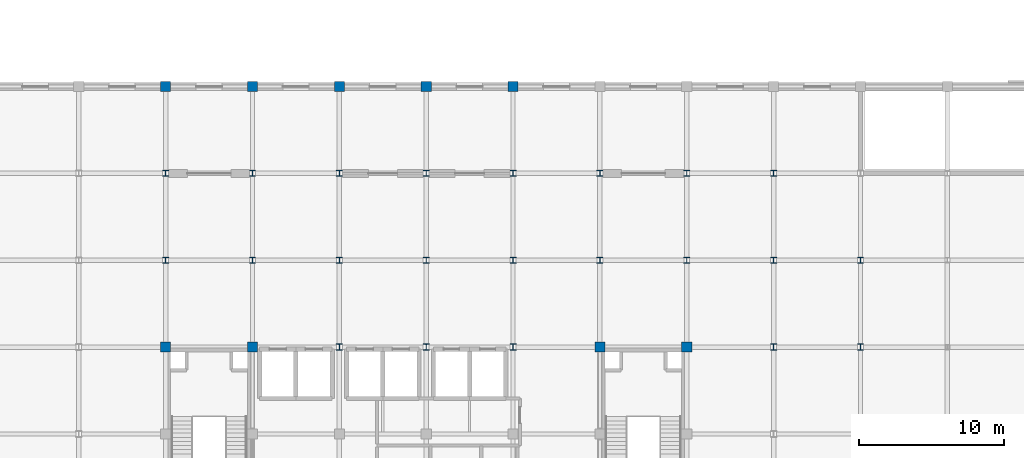
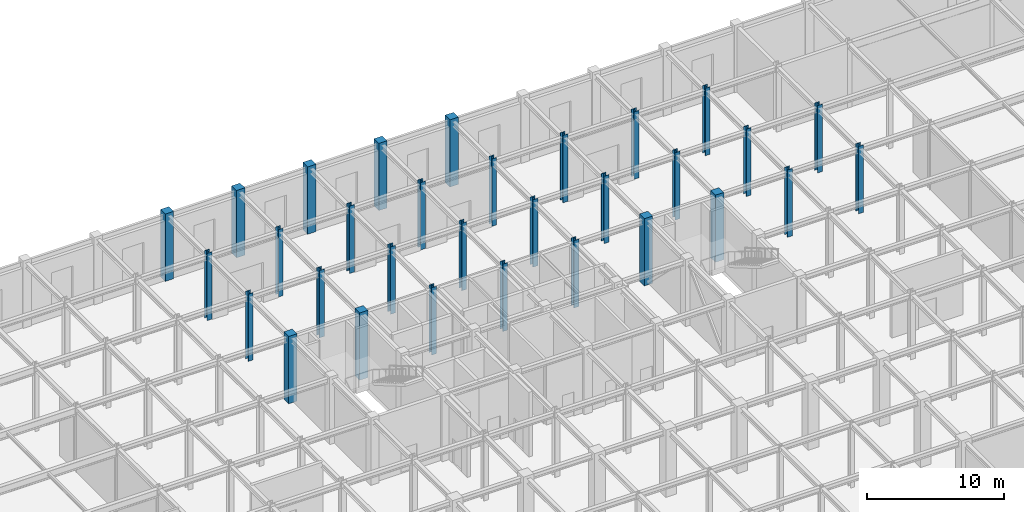
# One storey, part 19 of 51: 31 columns.
"""IFC4 building model written with IfcOpenShell, lengths in metres."""

from ifc_helpers import new_model, si_unit, direction, frame, origin, origin_2d, place, context, subcontext, project, spatial, rectangle, i_section, extrude, material, material_profile, profile_set, type_object, element, save


model = new_model("IFC4")

# Units and contexts
model_context = context("Model", 3, precision=1e-05, world=origin(), true_north=direction((0.0, 1.0)))
body_context = subcontext(model_context, "Body", "Model", "MODEL_VIEW")
ifc_project = project(units=[si_unit("LENGTHUNIT", "METRE"), si_unit("AREAUNIT", "SQUARE_METRE"), si_unit("VOLUMEUNIT", "CUBIC_METRE"), si_unit("PLANEANGLEUNIT", "RADIAN"), si_unit("MASSUNIT", "GRAM", prefix="KILO")], contexts=[model_context])

# Site, building, storey
site_placement = place(None, origin())
site = spatial("IfcSite", under=ifc_project, at=site_placement, CompositionType="ELEMENT")
building_placement = place(site_placement, origin())
building = spatial("IfcBuilding", under=site, at=building_placement, Name="Zlatovratsky Civic Hall", CompositionType="ELEMENT")
storey_placement = place(building_placement, origin())
storey = spatial("IfcBuildingStorey", under=building, at=storey_placement, Name="L01", CompositionType="ELEMENT", Elevation=0.0)

# Columns
ifc_material_1 = material(Name="Concrete C35/45 (B40)", Category="concrete")
ifc_material_profile_1 = material_profile(ifc_material_1, rectangle(XDim=0.699951171875, YDim=0.699951171875, at=origin_2d()), Name="RC 700x700")
ifc_profile_set_1 = profile_set([ifc_material_profile_1], Name="Concrete C35/45 (B40)")
column_type_1 = type_object("IfcColumnType", Name="Col_CorePier_RC700", PredefinedType="COLUMN", material=ifc_profile_set_1)
for number, where, z_axis, x_axis, name in (
    (1, (66.0, 96.0, 0.0), (0.0, 0.0, 1.0), (1.0, 0.0, 0.0), "CL-0738"),
    (2, (72.0, 96.0, 0.0), (0.0, 0.0, 1.0), (1.0, 0.0, 0.0), "CL-0739"),
    (3, (96.0, 96.0, 0.0), (0.0, 0.0, 1.0), (1.0, 0.0, 0.0), "CL-0743"),
    (4, (102.0, 96.0, 0.0), (0.0, 0.0, 1.0), (1.0, 0.0, 0.0), "CL-0744"),
    (5, (66.0, 114.0, 0.0), (0.0, 0.0, 1.0), (1.0, 0.0, 0.0), "CL-0807"),
    (6, (72.0, 114.0, 0.0), (0.0, 0.0, 1.0), (1.0, 0.0, 0.0), "CL-0808"),
    (7, (78.0, 114.0, 0.0), (0.0, 0.0, 1.0), (1.0, 0.0, 0.0), "CL-0809"),
    (8, (84.0, 114.0, 0.0), (0.0, 0.0, 1.0), (1.0, 0.0, 0.0), "CL-0810"),
    (9, (90.0, 114.0, 0.0), (0.0, 0.0, 1.0), (1.0, 0.0, 0.0), "CL-0811"),
):
    element("IfcColumn", number, at=place(storey_placement, frame(where, z_axis=z_axis, x_axis=x_axis)), inside=storey, type_object=column_type_1, Name=name, PredefinedType="COLUMN", context=body_context, shape_type="SweptSolid", body=[
        extrude(rectangle(XDim=0.699951171875, YDim=0.699951171875, at=origin_2d()), origin(), (0.0, 0.0, 1.0), 6.0),
    ])
ifc_material_2 = material(Name="Steel S355", Category="steel")
ifc_material_profile_2 = material_profile(ifc_material_2, i_section(OverallWidth=0.408935546875, OverallDepth=0.428955078125, WebThickness=0.02392578125, FlangeThickness=0.035400390625, FilletRadius=0.02197265625, at=origin_2d()), Name="40K5")
ifc_profile_set_2 = profile_set([ifc_material_profile_2], Name="Steel S355")
column_type_2 = type_object("IfcColumnType", Name="Col_Steel_40K5", PredefinedType="COLUMN", material=ifc_profile_set_2)
for number, where, z_axis, x_axis, name in (
    (10, (78.0, 96.0, 0.0), (0.0, 0.0, 1.0), (1.0, 0.0, 0.0), "CL-0740"),
    (11, (84.0, 96.0, 0.0), (0.0, 0.0, 1.0), (1.0, 0.0, 0.0), "CL-0741"),
    (12, (90.0, 96.0, 0.0), (0.0, 0.0, 1.0), (1.0, 0.0, 0.0), "CL-0742"),
    (13, (108.0, 96.0, 0.0), (0.0, 0.0, 1.0), (1.0, 0.0, 0.0), "CL-0745"),
    (14, (114.0, 96.0, 0.0), (0.0, 0.0, 1.0), (1.0, 0.0, 0.0), "CL-0746"),
    (15, (66.0, 102.0, 0.0), (0.0, 0.0, 1.0), (1.0, 0.0, 0.0), "CL-0761"),
    (16, (72.0, 102.0, 0.0), (0.0, 0.0, 1.0), (1.0, 0.0, 0.0), "CL-0762"),
    (17, (78.0, 102.0, 0.0), (0.0, 0.0, 1.0), (1.0, 0.0, 0.0), "CL-0763"),
    (18, (84.0, 102.0, 0.0), (0.0, 0.0, 1.0), (1.0, 0.0, 0.0), "CL-0764"),
    (19, (90.0, 102.0, 0.0), (0.0, 0.0, 1.0), (1.0, 0.0, 0.0), "CL-0765"),
    (20, (96.0, 102.0, 0.0), (0.0, 0.0, 1.0), (1.0, 0.0, 0.0), "CL-0766"),
    (21, (102.0, 102.0, 0.0), (0.0, 0.0, 1.0), (1.0, 0.0, 0.0), "CL-0767"),
    (22, (108.0, 102.0, 0.0), (0.0, 0.0, 1.0), (1.0, 0.0, 0.0), "CL-0768"),
    (23, (114.0, 102.0, 0.0), (0.0, 0.0, 1.0), (1.0, 0.0, 0.0), "CL-0769"),
    (24, (66.0, 108.0, 0.0), (0.0, 0.0, 1.0), (1.0, 0.0, 0.0), "CL-0784"),
    (25, (72.0, 108.0, 0.0), (0.0, 0.0, 1.0), (1.0, 0.0, 0.0), "CL-0785"),
    (26, (78.0, 108.0, 0.0), (0.0, 0.0, 1.0), (1.0, 0.0, 0.0), "CL-0786"),
    (27, (84.0, 108.0, 0.0), (0.0, 0.0, 1.0), (1.0, 0.0, 0.0), "CL-0787"),
    (28, (90.0, 108.0, 0.0), (0.0, 0.0, 1.0), (1.0, 0.0, 0.0), "CL-0788"),
    (29, (96.0, 108.0, 0.0), (0.0, 0.0, 1.0), (1.0, 0.0, 0.0), "CL-0789"),
    (30, (102.0, 108.0, 0.0), (0.0, 0.0, 1.0), (1.0, 0.0, 0.0), "CL-0790"),
    (31, (108.0, 108.0, 0.0), (0.0, 0.0, 1.0), (1.0, 0.0, 0.0), "CL-0791"),
):
    element("IfcColumn", number, at=place(storey_placement, frame(where, z_axis=z_axis, x_axis=x_axis)), inside=storey, type_object=column_type_2, Name=name, PredefinedType="COLUMN", context=body_context, shape_type="SweptSolid", body=[
        extrude(i_section(OverallWidth=0.408935546875, OverallDepth=0.428955078125, WebThickness=0.02392578125, FlangeThickness=0.035400390625, FilletRadius=0.02197265625, at=origin_2d()), origin(), (0.0, 0.0, 1.0), 6.0),
    ])

save(model, "model.ifc")
